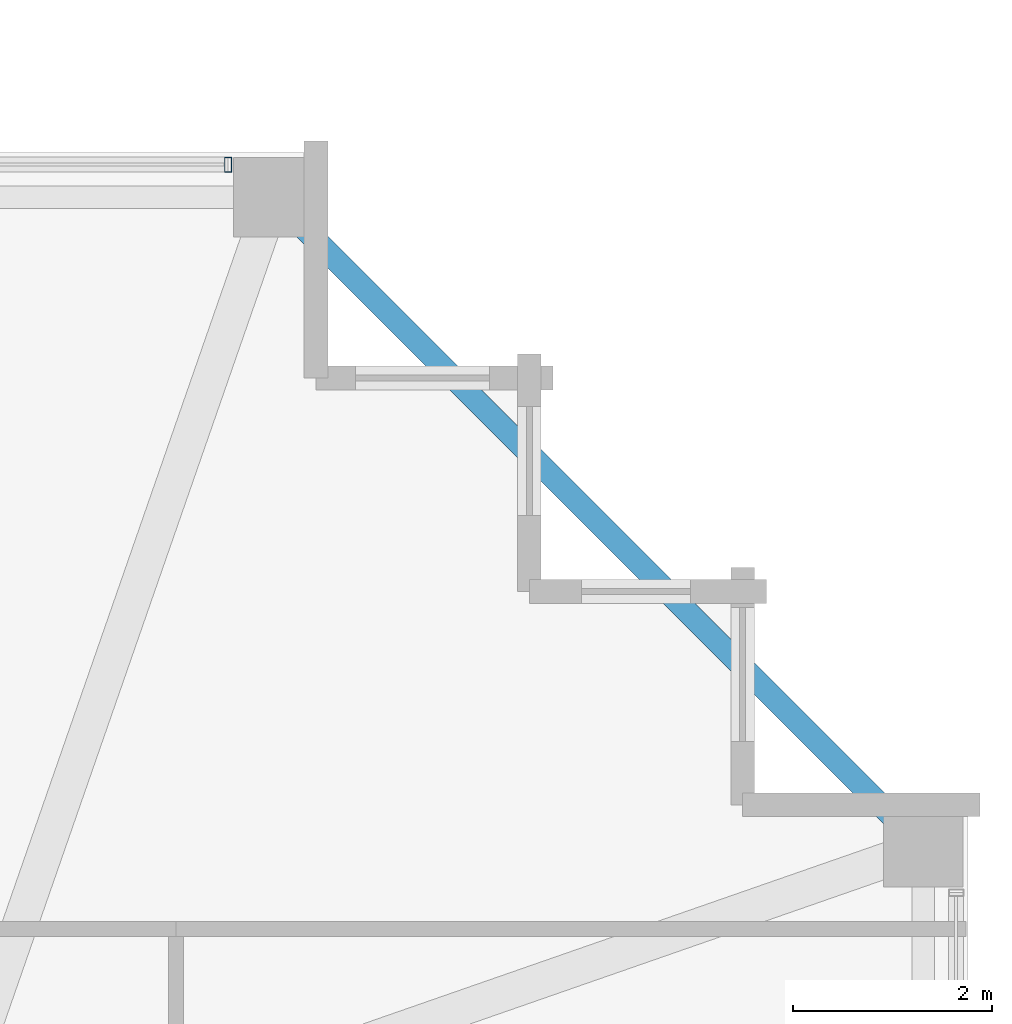
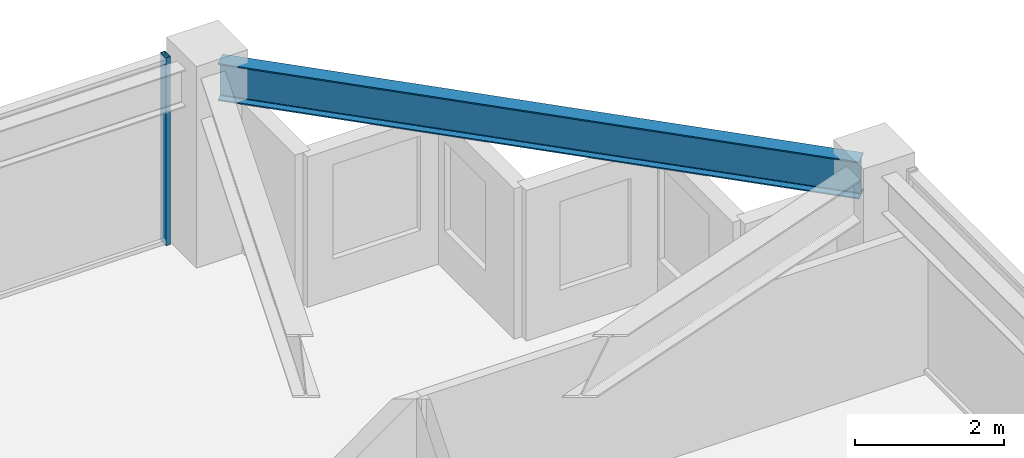
# One storey, part 22 of 36: 1 beam, 1 member, 1 element without a shape of its own.
"""IFC4 building model written with IfcOpenShell, lengths in metres."""

import ifcopenshell
import ifcopenshell.guid

model = None  # the IFC model being written
_history = None  # IfcOwnerHistory: only IFC2X3 demands one
_inside = {}  # id of a spatial element -> (the spatial element, [elements in it])
_under = {}  # id of a project, library or spatial element -> (it, [spatial elements below it])
_declared = {}  # id of a project -> (the project, [libraries it declares])
_typed = {}  # id of a type object -> (the type object, [elements of that type])
_made_of = {}  # id of a material, layer set ... -> (it, [elements and type objects made of it])


def new_model(schema):
    """Start an empty IFC model of exactly this schema.

    Asked for "IFC4X3", IfcOpenShell would pick the latest addendum, in which some entities
    have other attributes; the version numbers below select the first issue.
    IFC2X3 requires an IfcOwnerHistory on every rooted entity: one is made here for all.
    """
    global model, _history
    if schema == "IFC4X3":
        model = ifcopenshell.file(schema_version=(4, 3, 0, 0))
    else:
        model = ifcopenshell.file(schema=schema)
    _inside.clear()
    _under.clear()
    _declared.clear()
    _typed.clear()
    _made_of.clear()
    _history = None
    if model.schema == "IFC2X3":
        org = make("IfcOrganization", Name="unknown")
        user = make(
            "IfcPersonAndOrganization",
            ThePerson=make("IfcPerson", FamilyName="unknown"),
            TheOrganization=org,
        )
        app = make(
            "IfcApplication",
            ApplicationDeveloper=org,
            Version="unknown",
            ApplicationFullName="unknown",
            ApplicationIdentifier="unknown",
        )
        _history = make(
            "IfcOwnerHistory",
            OwningUser=user,
            OwningApplication=app,
            ChangeAction="ADDED",
            CreationDate=0,
        )
    return model


def make(cls, **values):
    """One entity of the class cls with the attributes given. An attribute that is None is left unset."""
    return model.create_entity(
        cls, **{name: value for name, value in values.items() if value is not None}
    )


def rooted(cls, **values):
    """An entity with a GlobalId (a new one), such as an element, a storey or a relation."""
    return make(cls, GlobalId=ifcopenshell.guid.new(), OwnerHistory=_history, **values)


def si_unit(unit_type, name, prefix=None):
    """IfcSIUnit, for example si_unit("LENGTHUNIT", "METRE", prefix="MILLI")."""
    return make("IfcSIUnit", UnitType=unit_type, Prefix=prefix, Name=name)


def assignment(units):
    """IfcUnitAssignment: the units of a project."""
    return None if units is None else make("IfcUnitAssignment", Units=units)


def point(xyz):
    """IfcCartesianPoint."""
    return None if xyz is None else make("IfcCartesianPoint", Coordinates=xyz)


def direction(xyz):
    """IfcDirection."""
    return None if xyz is None else make("IfcDirection", DirectionRatios=xyz)


def frame(location, z_axis=None, x_axis=None):
    """IfcAxis2Placement3D, a coordinate frame: its origin and axes. An axis left out is left unset."""
    return make(
        "IfcAxis2Placement3D",
        Location=point(location),
        Axis=direction(z_axis),
        RefDirection=direction(x_axis),
    )


def frame_2d(location, x_axis=None):
    """IfcAxis2Placement2D, a coordinate frame in the plane: its origin and x axis."""
    return make(
        "IfcAxis2Placement2D", Location=point(location), RefDirection=direction(x_axis)
    )


def origin():
    """The frame at (0, 0, 0) with its axes left unset."""
    return frame((0.0, 0.0, 0.0))


def origin_2d():
    """The frame at (0, 0) in the plane with its x axis left unset."""
    return frame_2d((0.0, 0.0))


def place(relative_to, where):
    """IfcLocalPlacement: puts the frame where relative to a parent placement (None: the world)."""
    return make(
        "IfcLocalPlacement", PlacementRelTo=relative_to, RelativePlacement=where
    )


def context(
    kind, dimensions, precision=None, world=None, true_north=None, identifier=None
):
    """IfcGeometricRepresentationContext, for example the 3D "Model" context."""
    return make(
        "IfcGeometricRepresentationContext",
        ContextIdentifier=identifier,
        ContextType=kind,
        CoordinateSpaceDimension=dimensions,
        Precision=precision,
        WorldCoordinateSystem=world,
        TrueNorth=true_north,
    )


def subcontext(parent, identifier, kind, view, scale=None):
    """IfcGeometricRepresentationSubContext, for example "Body" below "Model"."""
    return make(
        "IfcGeometricRepresentationSubContext",
        ContextIdentifier=identifier,
        ContextType=kind,
        ParentContext=parent,
        TargetScale=scale,
        TargetView=view,
    )


def project(units=None, contexts=None):
    """IfcProject with its units and contexts."""
    return rooted(
        "IfcProject",
        Name="project",
        RepresentationContexts=contexts,
        UnitsInContext=assignment(units),
    )


def spatial(cls, under=None, at=None, **own):
    """A site, building, storey or space (cls), placed at a placement, below another one or the project."""
    s = rooted(cls, ObjectPlacement=at, **own)
    if under is not None:
        _under.setdefault(under.id(), (under, []))[1].append(s)
    return s


def profile(cls, at=None, kind="AREA", **sizes):
    """A parametric profile (cls). Its sizes go by their IFC names, for example OverallWidth=200.0."""
    return make(cls, ProfileType=kind, Position=at, **sizes)


def hollow_rectangle(**sizes):
    """IfcRectangleHollowProfileDef."""
    return profile("IfcRectangleHollowProfileDef", **sizes)


def i_section(**sizes):
    """IfcIShapeProfileDef."""
    return profile("IfcIShapeProfileDef", **sizes)


def extrude(swept, where, along, depth):
    """IfcExtrudedAreaSolid: the profile swept, set in the frame where, extruded along a direction by depth."""
    return make(
        "IfcExtrudedAreaSolid",
        SweptArea=swept,
        Position=where,
        ExtrudedDirection=direction(along),
        Depth=depth,
    )


def shape(context_of_items, identifier, shape_type, items):
    """IfcShapeRepresentation: the items that make up one representation, for example the "Body"."""
    return make(
        "IfcShapeRepresentation",
        ContextOfItems=context_of_items,
        RepresentationIdentifier=identifier,
        RepresentationType=shape_type,
        Items=items,
    )


def material(Name=None, Category=None):
    """IfcMaterial."""
    return make("IfcMaterial", Name=Name, Category=Category)


def material_profile(
    of_material, cross_section, Name=None, Category=None, Priority=None
):
    """IfcMaterialProfile: a cross section and its material."""
    return make(
        "IfcMaterialProfile",
        Name=Name,
        Material=of_material,
        Profile=cross_section,
        Priority=Priority,
        Category=Category,
    )


def profile_set(profiles, Name=None, composite=None):
    """IfcMaterialProfileSet."""
    return make(
        "IfcMaterialProfileSet",
        Name=Name,
        MaterialProfiles=profiles,
        CompositeProfile=composite,
    )


def made_of(thing, what):
    """Note that an element or type object is made of a material, layer set ...; save() writes the relation."""
    if what is not None:
        _made_of.setdefault(what.id(), (what, []))[1].append(thing)
    return thing


def type_object(cls, material=None, **own):
    """A type object (cls), such as IfcWallType, which elements share."""
    return made_of(rooted(cls, **own), material)


def element(
    cls,
    number,
    at=None,
    inside=None,
    cuts=None,
    type_object=None,
    material=None,
    context=None,
    identifier="Body",
    shape_type=None,
    held_by="IfcProductDefinitionShape",
    body=None,
    shapes=None,
    **own,
):
    """One element of the class cls, such as IfcWall. Its Tag is "e" and its number.

    at: its placement. inside: the storey or other place that contains it. cuts: it is an
    opening in that element (IfcRelVoidsElement). A single representation is given by context,
    identifier, shape_type and body (its items); several are given by shapes. held_by: the class
    of the entity that holds the representations. save() writes the other relations.
    """
    e = rooted(cls, Tag="e%d" % number, ObjectPlacement=at, **own)
    if body is not None:
        shapes = [shape(context, identifier, shape_type, body)]
    if shapes is not None:
        e.Representation = make(held_by, Representations=shapes)
    if inside is not None:
        _inside.setdefault(inside.id(), (inside, []))[1].append(e)
    if cuts is not None:
        rooted(
            "IfcRelVoidsElement", RelatingBuildingElement=cuts, RelatedOpeningElement=e
        )
    if type_object is not None:
        _typed.setdefault(type_object.id(), (type_object, []))[1].append(e)
    return made_of(e, material)


def aggregate(whole, parts):
    """IfcRelAggregates: a whole, such as a stair, and the parts it consists of."""
    return rooted("IfcRelAggregates", RelatingObject=whole, RelatedObjects=parts)


def save(model, path):
    """Write the relations noted so far, then the file.

    IfcRelAggregates (storeys below a building ...), IfcRelContainedInSpatialStructure (elements
    in a storey), IfcRelDefinesByType, IfcRelAssociatesMaterial and IfcRelDeclares: one each for
    every whole, place, type object, material and project.
    """
    for whole, parts in _under.values():
        aggregate(whole, parts)
    for where, things in _inside.values():
        rooted(
            "IfcRelContainedInSpatialStructure",
            RelatedElements=things,
            RelatingStructure=where,
        )
    for kind, things in _typed.values():
        rooted("IfcRelDefinesByType", RelatedObjects=things, RelatingType=kind)
    for what, things in _made_of.values():
        rooted("IfcRelAssociatesMaterial", RelatedObjects=things, RelatingMaterial=what)
    for by, libraries in _declared.values():
        rooted("IfcRelDeclares", RelatingContext=by, RelatedDefinitions=libraries)
    model.write(path)


model = new_model("IFC4")

# Units and contexts
model_context = context("Model", 3, precision=1e-05, world=origin(), true_north=direction((0.0, 1.0)))
body_context = subcontext(model_context, "Body", "Model", "MODEL_VIEW")
ifc_project = project(units=[si_unit("LENGTHUNIT", "METRE"), si_unit("AREAUNIT", "SQUARE_METRE"), si_unit("VOLUMEUNIT", "CUBIC_METRE"), si_unit("PLANEANGLEUNIT", "RADIAN"), si_unit("MASSUNIT", "GRAM", prefix="KILO")], contexts=[model_context])

# Site, building, storey
site_placement = place(None, origin())
site = spatial("IfcSite", under=ifc_project, at=site_placement, CompositionType="ELEMENT")
building_placement = place(site_placement, origin())
building = spatial("IfcBuilding", under=site, at=building_placement, Name="Kolvaren Belvedere", CompositionType="ELEMENT")
storey_placement = place(building_placement, frame((0.0, 0.0, 193.199951171875)))
storey = spatial("IfcBuildingStorey", under=building, at=storey_placement, Name="L56", CompositionType="ELEMENT", Elevation=193.199951171875)

# Beam
ifc_material_1 = material(Name="Structural steel ASTM A992 Grade 50", Category="steel")
ifc_material_profile_1 = material_profile(ifc_material_1, i_section(OverallWidth=0.22900390625, OverallDepth=0.612060546875, WebThickness=0.011962890625, FlangeThickness=0.01953125, FilletRadius=0.01806640625, at=origin_2d()), Name="W24X84")
ifc_profile_set_1 = profile_set([ifc_material_profile_1], Name="Structural steel ASTM A992 Grade 50")
beam_type = type_object("IfcBeamType", Name="BM-SPAN-W24X84", PredefinedType="SPANDREL", material=ifc_profile_set_1)
beam_placement = place(storey_placement, frame((19.82275390625, 13.52734375, 2.774169921875), z_axis=(-0.707106781187, 0.707106781187, 0.0), x_axis=(-0.707106781187, -0.707106781187, 0.0)))
element("IfcBeam", 1, at=beam_placement, inside=storey, type_object=beam_type, Name="L56 Perimeter Spandrel E4-N4", PredefinedType="SPANDREL", context=body_context, shape_type="SweptSolid", body=[
    extrude(i_section(OverallWidth=0.22900390625, OverallDepth=0.612060546875, WebThickness=0.011962890625, FlangeThickness=0.01953125, FilletRadius=0.01806640625, at=origin_2d()), origin(), (0.0, 0.0, 1.0), 8.903076171875),
])

# Curtain wall, member
ifc_material_2 = material(Name="Anodised pale-metal aluminium AA 6063-T6", Category="aluminium")
curtain_wall_type = type_object("IfcCurtainWallType", Name="CW-Z5-HIGH", PredefinedType="NOTDEFINED", material=ifc_material_2)
curtain_wall_placement = place(storey_placement, origin())
curtain_wall = element("IfcCurtainWall", 2, at=curtain_wall_placement, inside=storey, type_object=curtain_wall_type, Name="L56 Unitised Curtain Wall FCW-L56-N2-B2", PredefinedType="NOTDEFINED")
ifc_material_3 = material(Name="Anodised pale-metal aluminium AA 6063-T6", Category="aluminium")
ifc_material_profile_2 = material_profile(ifc_material_3, hollow_rectangle(XDim=0.070068359375, YDim=0.14990234375, WallThickness=0.004150390625, at=origin_2d()), Name="ALU-MUL-150X70")
ifc_profile_set_2 = profile_set([ifc_material_profile_2], Name="Anodised pale-metal aluminium AA 6063-T6")
member_type = type_object("IfcMemberType", Name="CW-MUL-150", PredefinedType="MULLION", material=ifc_profile_set_2)
member_placement = place(storey_placement, frame((12.945068359375, 20.280029296875, 0.0), z_axis=(0.0, 0.0, 1.0), x_axis=(1.0, 0.0, 0.0)))
member = element("IfcMember", 3, at=member_placement, type_object=member_type, Name="FCW-L56-N2-B2 Unitised Mullion 3", PredefinedType="MULLION", context=body_context, shape_type="SweptSolid", body=[
    extrude(hollow_rectangle(XDim=0.070068359375, YDim=0.14990234375, WallThickness=0.004150390625, at=origin_2d()), origin(), (0.0, 0.0, 1.0), 3.080078125),
])
aggregate(curtain_wall, [member])

save(model, "model.ifc")
